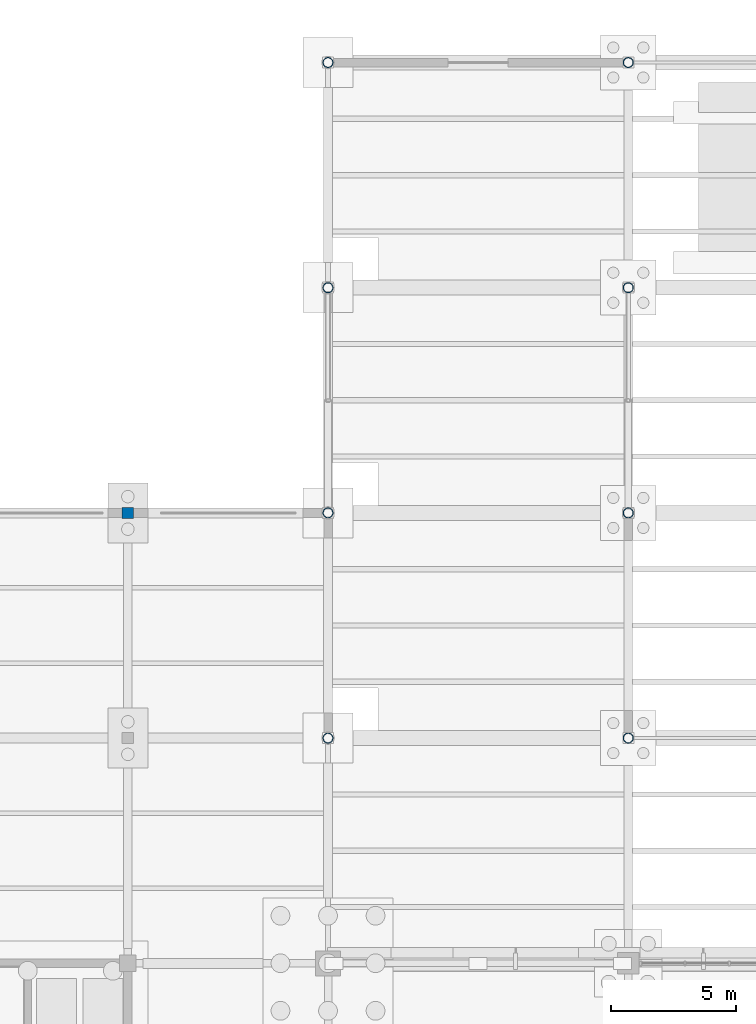
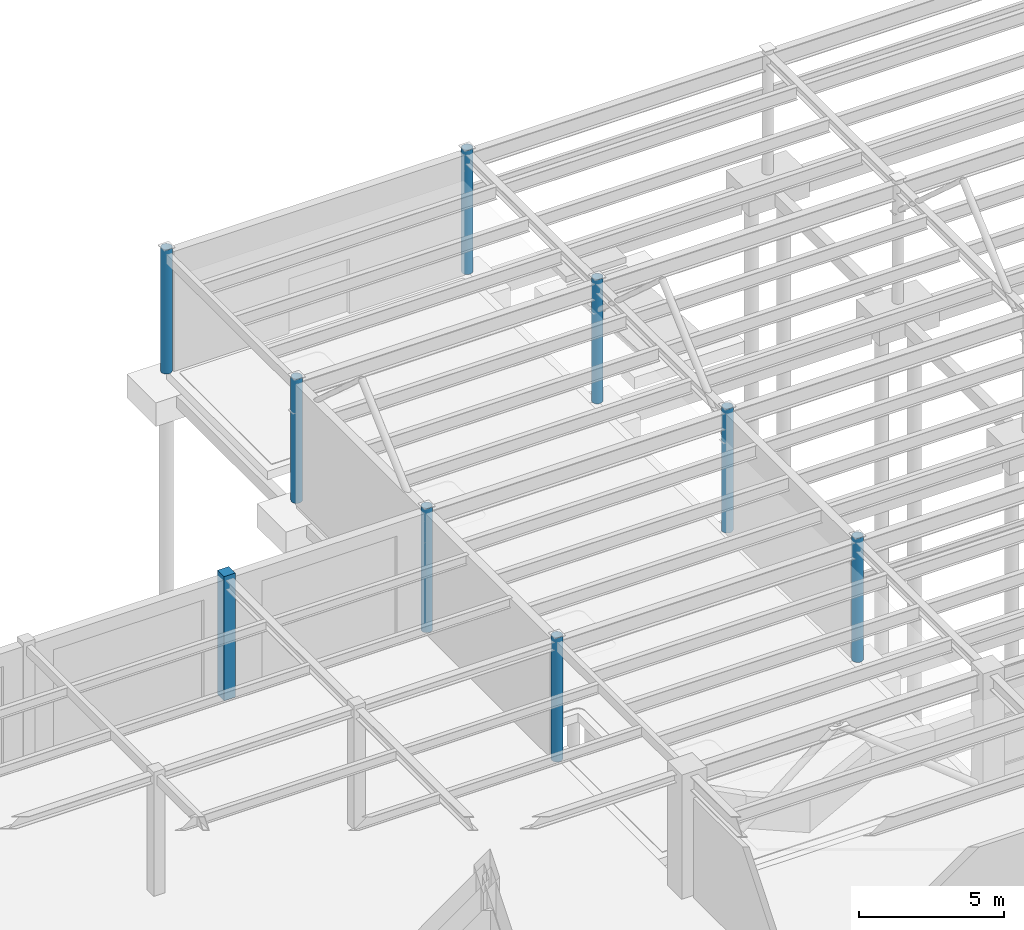
# One storey, part 16 of 85: 9 columns.
"""IFC4 building model written with IfcOpenShell, lengths in metres."""

from ifc_helpers import new_model, si_unit, direction, frame, origin, origin_2d, place, context, subcontext, project, spatial, rectangle, hollow_circle, extrude, material, material_profile, profile_set, type_object, element, save


model = new_model("IFC4")

# Units and contexts
model_context = context("Model", 3, precision=1e-05, world=origin(), true_north=direction((0.0, 1.0)))
body_context = subcontext(model_context, "Body", "Model", "MODEL_VIEW")
ifc_project = project(units=[si_unit("LENGTHUNIT", "METRE"), si_unit("AREAUNIT", "SQUARE_METRE"), si_unit("VOLUMEUNIT", "CUBIC_METRE"), si_unit("PLANEANGLEUNIT", "RADIAN"), si_unit("MASSUNIT", "GRAM", prefix="KILO")], contexts=[model_context])

# Site, building, storey
site_placement = place(None, origin())
site = spatial("IfcSite", under=ifc_project, at=site_placement, CompositionType="ELEMENT")
building_placement = place(site_placement, origin())
building = spatial("IfcBuilding", under=site, at=building_placement, Name="Keelwater Ferry Terminal", CompositionType="ELEMENT")
storey_placement = place(building_placement, origin())
storey = spatial("IfcBuildingStorey", under=building, at=storey_placement, Name="L00", CompositionType="ELEMENT", Elevation=0.0)

# Columns
ifc_material_1 = material(Name="Concrete C45/55", Category="concrete")
ifc_material_profile_1 = material_profile(ifc_material_1, rectangle(XDim=0.449951171875, YDim=0.449951171875, at=origin_2d()), Name="RC 450x450")
ifc_profile_set_1 = profile_set([ifc_material_profile_1], Name="Concrete C45/55")
column_type_1 = type_object("IfcColumnType", Name="C5 RC 450x450", PredefinedType="COLUMN", material=ifc_profile_set_1)
column_placement = place(storey_placement, frame((40.0, 108.0, 0.0), z_axis=(0.0, 0.0, 1.0), x_axis=(1.0, 0.0, 0.0)))
element("IfcColumn", 1, at=column_placement, inside=storey, type_object=column_type_1, Name="Column CL-L00-0085", PredefinedType="COLUMN", context=body_context, shape_type="SweptSolid", body=[
    extrude(rectangle(XDim=0.449951171875, YDim=0.449951171875, at=origin_2d()), origin(), (0.0, 0.0, 1.0), 5.239990234375),
])
ifc_material_2 = material(Name="Steel S355", Category="steel")
ifc_material_profile_2 = material_profile(ifc_material_2, hollow_circle(Radius=0.203125, WallThickness=0.01611328125, at=origin_2d()), Name="CHS 406.4x16")
ifc_profile_set_2 = profile_set([ifc_material_profile_2], Name="Steel S355")
column_type_2 = type_object("IfcColumnType", Name="C9E CHS 406.4x16", PredefinedType="COLUMN", material=ifc_profile_set_2)
for number, where, z_axis, x_axis, name in (
    (2, (48.0, 99.0, 0.0), (0.0, 0.0, 1.0), (1.0, 0.0, 0.0), "Column CL-L00-0109"),
    (3, (48.0, 108.0, 0.0), (0.0, 0.0, 1.0), (1.0, 0.0, 0.0), "Column CL-L00-0110"),
    (4, (48.0, 117.0, 0.0), (0.0, 0.0, 1.0), (1.0, 0.0, 0.0), "Column CL-L00-0111"),
    (5, (48.0, 126.0, 0.0), (0.0, 0.0, 1.0), (1.0, 0.0, 0.0), "Column CL-L00-0112"),
    (6, (60.0, 99.0, 0.0), (0.0, 0.0, 1.0), (1.0, 0.0, 0.0), "Column CL-L00-0122"),
    (7, (60.0, 108.0, 0.0), (0.0, 0.0, 1.0), (1.0, 0.0, 0.0), "Column CL-L00-0123"),
    (8, (60.0, 117.0, 0.0), (0.0, 0.0, 1.0), (1.0, 0.0, 0.0), "Column CL-L00-0124"),
    (9, (60.0, 126.0, 0.0), (0.0, 0.0, 1.0), (1.0, 0.0, 0.0), "Column CL-L00-0125"),
):
    element("IfcColumn", number, at=place(storey_placement, frame(where, z_axis=z_axis, x_axis=x_axis)), inside=storey, type_object=column_type_2, Name=name, PredefinedType="COLUMN", context=body_context, shape_type="SweptSolid", body=[
        extrude(hollow_circle(Radius=0.203125, WallThickness=0.01611328125, at=origin_2d()), origin(), (0.0, 0.0, 1.0), 5.239990234375),
    ])

save(model, "model.ifc")
